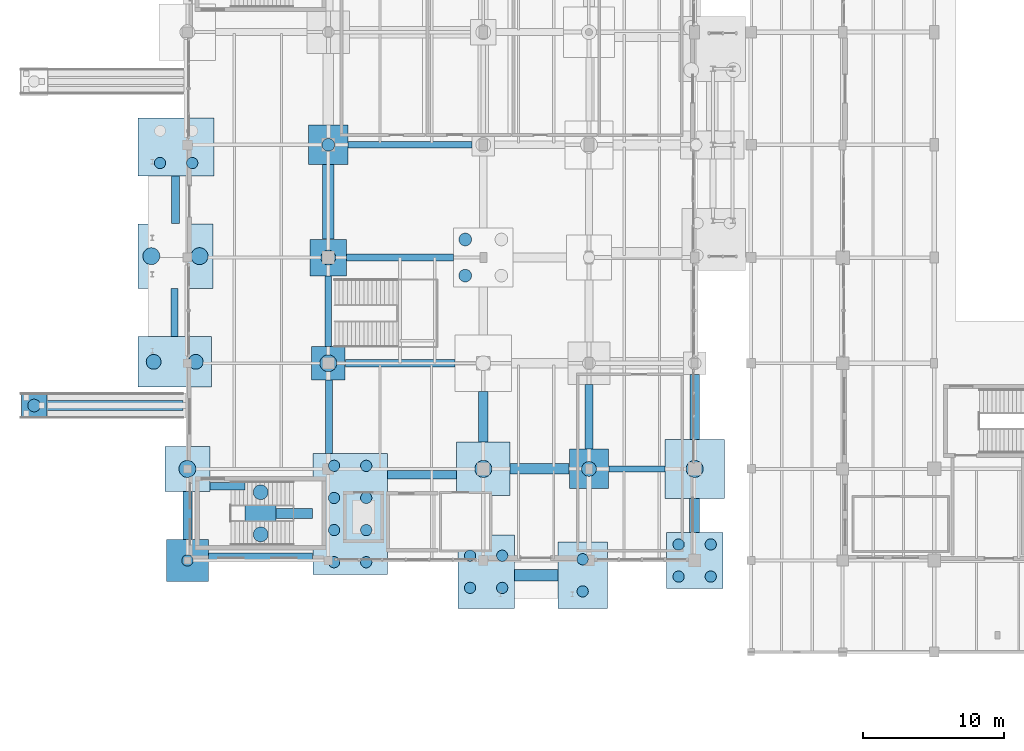
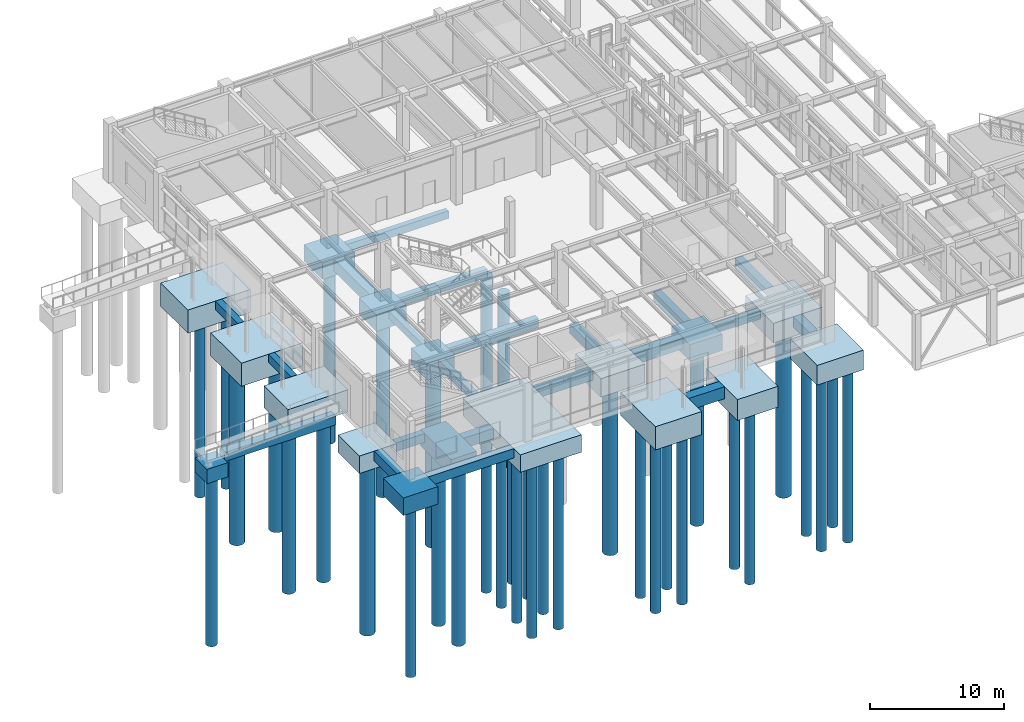
# One storey, part 1 of 203: 38 footings, 37 piles.
"""IFC4 building model written with IfcOpenShell, lengths in metres."""

from ifc_helpers import new_model, si_unit, direction, frame, origin, origin_2d, place, context, subcontext, project, spatial, polyline, circle, outline, extrude, material, material_profile, profile_set, type_object, element, save


model = new_model("IFC4")

# Units and contexts
model_context = context("Model", 3, precision=1e-05, world=origin(), true_north=direction((0.0, 1.0)))
body_context = subcontext(model_context, "Body", "Model", "MODEL_VIEW")
ifc_project = project(units=[si_unit("LENGTHUNIT", "METRE"), si_unit("AREAUNIT", "SQUARE_METRE"), si_unit("VOLUMEUNIT", "CUBIC_METRE"), si_unit("PLANEANGLEUNIT", "RADIAN"), si_unit("MASSUNIT", "GRAM", prefix="KILO"), si_unit("THERMODYNAMICTEMPERATUREUNIT", "KELVIN"), si_unit("POWERUNIT", "WATT")], contexts=[model_context])

# Site, building, storey
site_placement = place(None, origin())
site = spatial("IfcSite", under=ifc_project, at=site_placement, CompositionType="ELEMENT")
building_placement = place(site_placement, origin())
building = spatial("IfcBuilding", under=site, at=building_placement, Name="Tepalcoro Natatorium and Aquatics Centre", CompositionType="ELEMENT")
storey_placement = place(building_placement, origin())
storey = spatial("IfcBuildingStorey", under=building, at=storey_placement, Name="L00", CompositionType="ELEMENT", Elevation=0.0)

# Footings
ifc_material = material(Name="Concrete C40/50 (fc 40 MPa)", Category="concrete")
footing_type_1 = type_object("IfcFootingType", Name="FB_450x700", PredefinedType="FOOTING_BEAM", material=ifc_material)
footing_1_placement = place(storey_placement, frame((0.0, 0.0, -1.1201171875)))
element("IfcFooting", 1, at=footing_1_placement, inside=storey, type_object=footing_type_1, Name="V3 L00 Foundation Tie Beam X", PredefinedType="FOOTING_BEAM", context=body_context, shape_type="SweptSolid", body=[
    extrude(outline(polyline([(11.405029296875, 35.77490234375), (20.195068359375, 35.77490234375), (20.195068359375, 36.22509765625), (11.405029296875, 36.22509765625), (11.405029296875, 35.77490234375)])), origin(), (0.0, 0.0, 1.0), 0.7001953125),
])
footing_2_placement = place(storey_placement, frame((0.0, 0.0, -1.1201171875)))
element("IfcFooting", 2, at=footing_2_placement, inside=storey, type_object=footing_type_1, Name="V3 L00 Foundation Tie Beam X", PredefinedType="FOOTING_BEAM", context=body_context, shape_type="SweptSolid", body=[
    extrude(outline(polyline([(29.905029296875, 12.77490234375), (33.89501953125, 12.77490234375), (33.89501953125, 13.22509765625), (29.905029296875, 13.22509765625), (29.905029296875, 12.77490234375)])), origin(), (0.0, 0.0, 1.0), 0.7001953125),
])
footing_3_placement = place(storey_placement, frame((0.0, 0.0, -1.1201171875)))
element("IfcFooting", 3, at=footing_3_placement, inside=storey, type_object=footing_type_1, Name="V3 L00 Foundation Tie Beam Y", PredefinedType="FOOTING_BEAM", context=body_context, shape_type="SweptSolid", body=[
    extrude(outline(polyline([(10.22509765625, 21.705078125), (10.22509765625, 26.695068359375), (9.77490234375, 26.695068359375), (9.77490234375, 21.705078125), (10.22509765625, 21.705078125)])), origin(), (0.0, 0.0, 1.0), 0.7001953125),
])
footing_type_2 = type_object("IfcFootingType", Name="FB_500x750", PredefinedType="FOOTING_BEAM", material=ifc_material)
footing_4_placement = place(storey_placement, frame((0.0, 0.0, -1.169921875)))
element("IfcFooting", 4, at=footing_4_placement, inside=storey, type_object=footing_type_2, Name="V3 L00 Foundation Tie Beam X", PredefinedType="FOOTING_BEAM", context=body_context, shape_type="SweptSolid", body=[
    extrude(outline(polyline([(11.304931640625, 27.75), (18.89501953125, 27.75), (18.89501953125, 28.25), (11.304931640625, 28.25), (11.304931640625, 27.75)])), origin(), (0.0, 0.0, 1.0), 0.75),
])
footing_5_placement = place(storey_placement, frame((0.0, 0.0, -0.75)))
element("IfcFooting", 5, at=footing_5_placement, inside=storey, type_object=footing_type_2, Name="V3 L00 Foundation Tie Beam Y", PredefinedType="FOOTING_BEAM", context=body_context, shape_type="SweptSolid", body=[
    extrude(outline(polyline([(-0.64990234375, 22.405029296875), (-0.64990234375, 25.794921875), (-1.14990234375, 25.794921875), (-1.14990234375, 22.405029296875), (-0.64990234375, 22.405029296875)])), origin(), (0.0, 0.0, 1.0), 0.75),
])
footing_6_placement = place(storey_placement, frame((0.0, 0.0, -1.169921875)))
element("IfcFooting", 6, at=footing_6_placement, inside=storey, type_object=footing_type_2, Name="V3 L00 Foundation Tie Beam Y", PredefinedType="FOOTING_BEAM", context=body_context, shape_type="SweptSolid", body=[
    extrude(outline(polyline([(10.300048828125, 14.10498046875), (10.300048828125, 19.294921875), (9.800048828125, 19.294921875), (9.800048828125, 14.10498046875), (10.300048828125, 14.10498046875)])), origin(), (0.0, 0.0, 1.0), 0.75),
])
footing_type_3 = type_object("IfcFootingType", Name="FB_550x800", PredefinedType="FOOTING_BEAM", material=ifc_material)
footing_7_placement = place(storey_placement, frame((0.0, 0.0, -1.219970703125)))
element("IfcFooting", 7, at=footing_7_placement, inside=storey, type_object=footing_type_3, Name="V3 L00 Foundation Tie Beam X", PredefinedType="FOOTING_BEAM", context=body_context, shape_type="SweptSolid", body=[
    extrude(outline(polyline([(1.60498046875, 11.5), (4.094970703125, 11.5), (4.094970703125, 12.050048828125), (1.60498046875, 12.050048828125), (1.60498046875, 11.5)])), origin(), (0.0, 0.0, 1.0), 0.800048828125),
])
footing_8_placement = place(storey_placement, frame((0.0, 0.0, -1.219970703125)))
element("IfcFooting", 8, at=footing_8_placement, inside=storey, type_object=footing_type_3, Name="V3 L00 Foundation Tie Beam X", PredefinedType="FOOTING_BEAM", context=body_context, shape_type="SweptSolid", body=[
    extrude(outline(polyline([(11.205078125, 20.22509765625), (18.9951171875, 20.22509765625), (18.9951171875, 20.77490234375), (11.205078125, 20.77490234375), (11.205078125, 20.22509765625)])), origin(), (0.0, 0.0, 1.0), 0.800048828125),
])
footing_9_placement = place(storey_placement, frame((0.0, 0.0, -0.800048828125)))
element("IfcFooting", 9, at=footing_9_placement, inside=storey, type_object=footing_type_3, Name="V3 L00 Foundation Tie Beam Y", PredefinedType="FOOTING_BEAM", context=body_context, shape_type="SweptSolid", body=[
    extrude(outline(polyline([(-0.574951171875, 30.405029296875), (-0.574951171875, 33.794921875), (-1.125, 33.794921875), (-1.125, 30.405029296875), (-0.574951171875, 30.405029296875)])), origin(), (0.0, 0.0, 1.0), 0.800048828125),
])
footing_type_4 = type_object("IfcFootingType", Name="FB_600x850", PredefinedType="FOOTING_BEAM", material=ifc_material)
footing_10_placement = place(storey_placement, frame((0.0, 0.0, -1.27001953125)))
element("IfcFooting", 10, at=footing_10_placement, inside=storey, type_object=footing_type_4, Name="V3 L00 Foundation Tie Beam X", PredefinedType="FOOTING_BEAM", context=body_context, shape_type="SweptSolid", body=[
    extrude(outline(polyline([(1.5048828125, 6.449951171875), (8.89501953125, 6.449951171875), (8.89501953125, 7.050048828125), (1.5048828125, 7.050048828125), (1.5048828125, 6.449951171875)])), origin(), (0.0, 0.0, 1.0), 0.85009765625),
])
footing_11_placement = place(storey_placement, frame((0.0, 0.0, -1.27001953125)))
element("IfcFooting", 11, at=footing_11_placement, inside=storey, type_object=footing_type_4, Name="V3 L00 Foundation Tie Beam X", PredefinedType="FOOTING_BEAM", context=body_context, shape_type="SweptSolid", body=[
    extrude(outline(polyline([(14.205078125, 12.300048828125), (19.094970703125, 12.300048828125), (19.094970703125, 12.89990234375), (14.205078125, 12.89990234375), (14.205078125, 12.300048828125)])), origin(), (0.0, 0.0, 1.0), 0.85009765625),
])
footing_12_placement = place(storey_placement, frame((0.0, 0.0, -1.27001953125)))
element("IfcFooting", 12, at=footing_12_placement, inside=storey, type_object=footing_type_4, Name="V3 L00 Foundation Tie Beam Y", PredefinedType="FOOTING_BEAM", context=body_context, shape_type="SweptSolid", body=[
    extrude(outline(polyline([(28.800048828125, 14.405029296875), (28.800048828125, 18.9951171875), (28.199951171875, 18.9951171875), (28.199951171875, 14.405029296875), (28.800048828125, 14.405029296875)])), origin(), (0.0, 0.0, 1.0), 0.85009765625),
])
footing_type_5 = type_object("IfcFootingType", Name="FB_650x900", PredefinedType="FOOTING_BEAM", material=ifc_material)
footing_13_placement = place(storey_placement, frame((0.0, 0.0, -1.320068359375)))
element("IfcFooting", 13, at=footing_13_placement, inside=storey, type_object=footing_type_5, Name="V3 L00 Foundation Tie Beam Y", PredefinedType="FOOTING_BEAM", context=body_context, shape_type="SweptSolid", body=[
    extrude(outline(polyline([(0.324951171875, 8.0048828125), (0.324951171875, 11.39501953125), (-0.324951171875, 11.39501953125), (-0.324951171875, 8.0048828125), (0.324951171875, 8.0048828125)])), origin(), (0.0, 0.0, 1.0), 0.900146484375),
])
footing_14_placement = place(storey_placement, frame((0.0, 0.0, -1.320068359375)))
element("IfcFooting", 14, at=footing_14_placement, inside=storey, type_object=footing_type_5, Name="V3 L00 Foundation Tie Beam Y", PredefinedType="FOOTING_BEAM", context=body_context, shape_type="SweptSolid", body=[
    extrude(outline(polyline([(21.324951171875, 14.905029296875), (21.324951171875, 18.4951171875), (20.675048828125, 18.4951171875), (20.675048828125, 14.905029296875), (21.324951171875, 14.905029296875)])), origin(), (0.0, 0.0, 1.0), 0.900146484375),
])
footing_15_placement = place(storey_placement, frame((0.0, 0.0, -1.320068359375)))
element("IfcFooting", 15, at=footing_15_placement, inside=storey, type_object=footing_type_5, Name="V3 L00 Foundation Tie Beam Y", PredefinedType="FOOTING_BEAM", context=body_context, shape_type="SweptSolid", body=[
    extrude(outline(polyline([(36.324951171875, 15.10498046875), (36.324951171875, 19.695068359375), (35.675048828125, 19.695068359375), (35.675048828125, 15.10498046875), (36.324951171875, 15.10498046875)])), origin(), (0.0, 0.0, 1.0), 0.900146484375),
])
footing_type_6 = type_object("IfcFootingType", Name="FB_700x950", PredefinedType="FOOTING_BEAM", material=ifc_material)
footing_16_placement = place(storey_placement, frame((0.0, 0.0, -1.3701171875)))
element("IfcFooting", 16, at=footing_16_placement, inside=storey, type_object=footing_type_6, Name="V3 L00 Foundation Tie Beam X", PredefinedType="FOOTING_BEAM", context=body_context, shape_type="SweptSolid", body=[
    extrude(outline(polyline([(6.304931640625, 9.5), (8.89501953125, 9.5), (8.89501953125, 10.199951171875), (6.304931640625, 10.199951171875), (6.304931640625, 9.5)])), origin(), (0.0, 0.0, 1.0), 0.9501953125),
])
footing_17_placement = place(storey_placement, frame((0.0, 0.0, -1.3701171875)))
element("IfcFooting", 17, at=footing_17_placement, inside=storey, type_object=footing_type_6, Name="V3 L00 Foundation Tie Beam Y", PredefinedType="FOOTING_BEAM", context=body_context, shape_type="SweptSolid", body=[
    extrude(outline(polyline([(36.35009765625, 8.5048828125), (36.35009765625, 10.89501953125), (35.64990234375, 10.89501953125), (35.64990234375, 8.5048828125), (36.35009765625, 8.5048828125)])), origin(), (0.0, 0.0, 1.0), 0.9501953125),
])
footing_type_7 = type_object("IfcFootingType", Name="FB_750x1000", PredefinedType="FOOTING_BEAM", material=ifc_material)
footing_18_placement = place(storey_placement, frame((0.0, 0.0, -1.419921875)))
element("IfcFooting", 18, at=footing_18_placement, inside=storey, type_object=footing_type_7, Name="V3 L00 Foundation Tie Beam X", PredefinedType="FOOTING_BEAM", context=body_context, shape_type="SweptSolid", body=[
    extrude(outline(polyline([(22.905029296875, 12.625), (27.094970703125, 12.625), (27.094970703125, 13.375), (22.905029296875, 13.375), (22.905029296875, 12.625)])), origin(), (0.0, 0.0, 1.0), 1.0),
])
footing_type_8 = type_object("IfcFootingType", Name="FB_800x1100", PredefinedType="FOOTING_BEAM", material=ifc_material)
footing_19_placement = place(storey_placement, frame((0.0, 0.0, -1.10009765625)))
element("IfcFooting", 19, at=footing_19_placement, inside=storey, type_object=footing_type_8, Name="V3 L00 Foundation Tie Beam X", PredefinedType="FOOTING_BEAM", context=body_context, shape_type="SweptSolid", body=[
    extrude(outline(polyline([(23.205078125, 5.050048828125), (26.294921875, 5.050048828125), (26.294921875, 5.85009765625), (23.205078125, 5.85009765625), (23.205078125, 5.050048828125)])), origin(), (0.0, 0.0, 1.0), 1.10009765625),
])
footing_20_placement = place(storey_placement, frame((0.0, 0.0, -1.52001953125)))
element("IfcFooting", 20, at=footing_20_placement, inside=storey, type_object=footing_type_8, Name="V3 L00 Foundation Tie Beam Y", PredefinedType="FOOTING_BEAM", context=body_context, shape_type="SweptSolid", body=[
    extrude(outline(polyline([(10.39990234375, 29.304931640625), (10.39990234375, 34.594970703125), (9.60009765625, 34.594970703125), (9.60009765625, 29.304931640625), (10.39990234375, 29.304931640625)])), origin(), (0.0, 0.0, 1.0), 1.10009765625),
])
footing_type_9 = type_object("IfcFootingType", Name="PC_1800x1800x1300", PredefinedType="PILE_CAP", material=ifc_material)
footing_21_placement = place(storey_placement, frame((0.0, 0.0, -2.550048828125)))
element("IfcFooting", 21, at=footing_21_placement, inside=storey, type_object=footing_type_9, Name="V3 Reinforced Concrete Pile Cap 230", PredefinedType="PILE_CAP", context=body_context, shape_type="SweptSolid", body=[
    extrude(outline(polyline([(-11.780029296875, 16.60009765625), (-9.97998046875, 16.60009765625), (-9.97998046875, 18.39990234375), (-11.780029296875, 18.39990234375), (-11.780029296875, 16.60009765625)])), origin(), (0.0, 0.0, 1.0), 1.300048828125),
])
footing_type_10 = type_object("IfcFootingType", Name="PC_2200x4600x1500", PredefinedType="PILE_CAP", material=ifc_material)
footing_22_placement = place(storey_placement, frame((0.0, 0.0, -1.919921875)))
element("IfcFooting", 22, at=footing_22_placement, inside=storey, type_object=footing_type_10, Name="V3 Reinforced Concrete Pile Cap 239", PredefinedType="PILE_CAP", context=body_context, shape_type="SweptSolid", body=[
    extrude(outline(polyline([(4.10009765625, 7.550048828125), (6.300048828125, 7.550048828125), (6.300048828125, 12.14990234375), (4.10009765625, 12.14990234375), (4.10009765625, 7.550048828125)])), origin(), (0.0, 0.0, 1.0), 1.5),
])
footing_type_11 = type_object("IfcFootingType", Name="PC_2400x2400x1500", PredefinedType="PILE_CAP", material=ifc_material)
footing_23_placement = place(storey_placement, frame((0.0, 0.0, -1.919921875)))
element("IfcFooting", 23, at=footing_23_placement, inside=storey, type_object=footing_type_11, Name="V3 Reinforced Concrete Pile Cap 244", PredefinedType="PILE_CAP", context=body_context, shape_type="SweptSolid", body=[
    extrude(outline(polyline([(8.800048828125, 19.300048828125), (11.199951171875, 19.300048828125), (11.199951171875, 21.699951171875), (8.800048828125, 21.699951171875), (8.800048828125, 19.300048828125)])), origin(), (0.0, 0.0, 1.0), 1.5),
])
footing_type_12 = type_object("IfcFootingType", Name="PC_2600x2600x1500", PredefinedType="PILE_CAP", material=ifc_material)
footing_24_placement = place(storey_placement, frame((0.0, 0.0, -1.919921875)))
element("IfcFooting", 24, at=footing_24_placement, inside=storey, type_object=footing_type_12, Name="V3 Reinforced Concrete Pile Cap 243", PredefinedType="PILE_CAP", context=body_context, shape_type="SweptSolid", body=[
    extrude(outline(polyline([(8.699951171875, 26.699951171875), (11.300048828125, 26.699951171875), (11.300048828125, 29.300048828125), (8.699951171875, 29.300048828125), (8.699951171875, 26.699951171875)])), origin(), (0.0, 0.0, 1.0), 1.5),
])
footing_25_placement = place(storey_placement, frame((0.0, 0.0, -1.919921875)))
element("IfcFooting", 25, at=footing_25_placement, inside=storey, type_object=footing_type_12, Name="V3 Reinforced Concrete Pile Cap 253", PredefinedType="PILE_CAP", context=body_context, shape_type="SweptSolid", body=[
    extrude(outline(polyline([(26.300048828125, 3.10009765625), (29.800048828125, 3.10009765625), (29.800048828125, 7.800048828125), (26.300048828125, 7.800048828125), (26.300048828125, 3.10009765625)])), origin(), (0.0, 0.0, 1.0), 1.919921875),
])
footing_type_13 = type_object("IfcFootingType", Name="PC_2800x2800x1500", PredefinedType="PILE_CAP", material=ifc_material)
footing_26_placement = place(storey_placement, frame((0.0, 0.0, -1.919921875)))
element("IfcFooting", 26, at=footing_26_placement, inside=storey, type_object=footing_type_13, Name="V3 Reinforced Concrete Pile Cap 242", PredefinedType="PILE_CAP", context=body_context, shape_type="SweptSolid", body=[
    extrude(outline(polyline([(8.60009765625, 34.60009765625), (11.39990234375, 34.60009765625), (11.39990234375, 37.39990234375), (8.60009765625, 37.39990234375), (8.60009765625, 34.60009765625)])), origin(), (0.0, 0.0, 1.0), 1.5),
])
footing_27_placement = place(storey_placement, frame((0.0, 0.0, -1.919921875)))
element("IfcFooting", 27, at=footing_27_placement, inside=storey, type_object=footing_type_13, Name="V3 Reinforced Concrete Pile Cap 259", PredefinedType="PILE_CAP", context=body_context, shape_type="SweptSolid", body=[
    extrude(outline(polyline([(27.10009765625, 11.60009765625), (29.89990234375, 11.60009765625), (29.89990234375, 14.39990234375), (27.10009765625, 14.39990234375), (27.10009765625, 11.60009765625)])), origin(), (0.0, 0.0, 1.0), 1.5),
])
footing_type_14 = type_object("IfcFootingType", Name="PC_3000x3000x1600", PredefinedType="PILE_CAP", material=ifc_material)
footing_28_placement = place(storey_placement, frame((0.0, 0.0, -2.02001953125)))
element("IfcFooting", 28, at=footing_28_placement, inside=storey, type_object=footing_type_14, Name="V3 Reinforced Concrete Pile Cap 237", PredefinedType="PILE_CAP", context=body_context, shape_type="SweptSolid", body=[
    extrude(outline(polyline([(-1.5, 5.0), (1.5, 5.0), (1.5, 8.0), (-1.5, 8.0), (-1.5, 5.0)])), origin(), (0.0, 0.0, 1.0), 1.60009765625),
])
footing_type_15 = type_object("IfcFootingType", Name="PC_3200x3200x1600", PredefinedType="PILE_CAP", material=ifc_material)
footing_29_placement = place(storey_placement, frame((0.0, 0.0, -2.02001953125)))
element("IfcFooting", 29, at=footing_29_placement, inside=storey, type_object=footing_type_15, Name="V3 Reinforced Concrete Pile Cap 236", PredefinedType="PILE_CAP", context=body_context, shape_type="SweptSolid", body=[
    extrude(outline(polyline([(-1.60009765625, 11.39990234375), (1.60009765625, 11.39990234375), (1.60009765625, 14.60009765625), (-1.60009765625, 14.60009765625), (-1.60009765625, 11.39990234375)])), origin(), (0.0, 0.0, 1.0), 1.60009765625),
])
footing_type_16 = type_object("IfcFootingType", Name="PC_3400x3400x1600", PredefinedType="PILE_CAP", material=ifc_material)
footing_30_placement = place(storey_placement, frame((0.0, 0.0, -2.02001953125)))
element("IfcFooting", 30, at=footing_30_placement, inside=storey, type_object=footing_type_16, Name="V3 Reinforced Concrete Pile Cap 231", PredefinedType="PILE_CAP", context=body_context, shape_type="SweptSolid", body=[
    extrude(outline(polyline([(-3.5, 18.800048828125), (1.699951171875, 18.800048828125), (1.699951171875, 22.39990234375), (-3.5, 22.39990234375), (-3.5, 18.800048828125)])), origin(), (0.0, 0.0, 1.0), 2.02001953125),
])
footing_31_placement = place(storey_placement, frame((0.0, 0.0, -2.02001953125)))
element("IfcFooting", 31, at=footing_31_placement, inside=storey, type_object=footing_type_16, Name="V3 Reinforced Concrete Pile Cap 245", PredefinedType="PILE_CAP", context=body_context, shape_type="SweptSolid", body=[
    extrude(outline(polyline([(8.89990234375, 5.5), (14.199951171875, 5.5), (14.199951171875, 14.10009765625), (8.89990234375, 14.10009765625), (8.89990234375, 5.5)])), origin(), (0.0, 0.0, 1.0), 1.60009765625),
])
footing_type_17 = type_object("IfcFootingType", Name="PC_3600x3600x1700", PredefinedType="PILE_CAP", material=ifc_material)
footing_32_placement = place(storey_placement, frame((0.0, 0.0, -2.1201171875)))
element("IfcFooting", 32, at=footing_32_placement, inside=storey, type_object=footing_type_17, Name="V3 Reinforced Concrete Pile Cap 232", PredefinedType="PILE_CAP", context=body_context, shape_type="SweptSolid", body=[
    extrude(outline(polyline([(-3.5, 25.800048828125), (1.800048828125, 25.800048828125), (1.800048828125, 30.39990234375), (-3.5, 30.39990234375), (-3.5, 25.800048828125)])), origin(), (0.0, 0.0, 1.0), 2.1201171875),
])
footing_33_placement = place(storey_placement, frame((0.0, 0.0, -2.1201171875)))
element("IfcFooting", 33, at=footing_33_placement, inside=storey, type_object=footing_type_17, Name="V3 Reinforced Concrete Pile Cap 249", PredefinedType="PILE_CAP", context=body_context, shape_type="SweptSolid", body=[
    extrude(outline(polyline([(19.199951171875, 3.10009765625), (23.199951171875, 3.10009765625), (23.199951171875, 8.300048828125), (19.199951171875, 8.300048828125), (19.199951171875, 3.10009765625)])), origin(), (0.0, 0.0, 1.0), 2.1201171875),
])
footing_type_18 = type_object("IfcFootingType", Name="PC_3800x3800x1700", PredefinedType="PILE_CAP", material=ifc_material)
footing_34_placement = place(storey_placement, frame((0.0, 0.0, -2.1201171875)))
element("IfcFooting", 34, at=footing_34_placement, inside=storey, type_object=footing_type_18, Name="V3 Reinforced Concrete Pile Cap 233", PredefinedType="PILE_CAP", context=body_context, shape_type="SweptSolid", body=[
    extrude(outline(polyline([(-3.5, 33.800048828125), (1.89990234375, 33.800048828125), (1.89990234375, 37.89990234375), (-3.5, 37.89990234375), (-3.5, 33.800048828125)])), origin(), (0.0, 0.0, 1.0), 2.1201171875),
])
footing_35_placement = place(storey_placement, frame((0.0, 0.0, -2.1201171875)))
element("IfcFooting", 35, at=footing_35_placement, inside=storey, type_object=footing_type_18, Name="V3 Reinforced Concrete Pile Cap 248", PredefinedType="PILE_CAP", context=body_context, shape_type="SweptSolid", body=[
    extrude(outline(polyline([(19.10009765625, 11.10009765625), (22.89990234375, 11.10009765625), (22.89990234375, 14.89990234375), (19.10009765625, 14.89990234375), (19.10009765625, 11.10009765625)])), origin(), (0.0, 0.0, 1.0), 1.7001953125),
])
footing_type_19 = type_object("IfcFootingType", Name="PC_4000x4000x1800", PredefinedType="PILE_CAP", material=ifc_material)
footing_36_placement = place(storey_placement, frame((0.0, 0.0, -2.219970703125)))
element("IfcFooting", 36, at=footing_36_placement, inside=storey, type_object=footing_type_19, Name="V3 Reinforced Concrete Pile Cap 261", PredefinedType="PILE_CAP", context=body_context, shape_type="SweptSolid", body=[
    extrude(outline(polyline([(34.0, 4.5), (38.0, 4.5), (38.0, 8.5), (34.0, 8.5), (34.0, 4.5)])), origin(), (0.0, 0.0, 1.0), 1.800048828125),
])
footing_type_20 = type_object("IfcFootingType", Name="PC_4200x4200x1800", PredefinedType="PILE_CAP", material=ifc_material)
footing_37_placement = place(storey_placement, frame((0.0, 0.0, -2.219970703125)))
element("IfcFooting", 37, at=footing_37_placement, inside=storey, type_object=footing_type_20, Name="V3 Reinforced Concrete Pile Cap 260", PredefinedType="PILE_CAP", context=body_context, shape_type="SweptSolid", body=[
    extrude(outline(polyline([(33.89990234375, 10.89990234375), (38.10009765625, 10.89990234375), (38.10009765625, 15.10009765625), (33.89990234375, 15.10009765625), (33.89990234375, 10.89990234375)])), origin(), (0.0, 0.0, 1.0), 1.800048828125),
])

# Piles
ifc_material_profile_1 = material_profile(ifc_material, circle(Radius=0.52490234375, at=origin_2d()), Name="PILE_D1050")
ifc_profile_set_1 = profile_set([ifc_material_profile_1], Name="Concrete C40/50 (fc 40 MPa)")
pile_type_1 = type_object("IfcPileType", Name="PILE_D1050", PredefinedType="BORED", material=ifc_profile_set_1)
for number, where, z_axis, x_axis, name in (
    (38, (-2.396240234375, 20.60009765625, -1.919921875), (0.0, 0.0, -1.0), (1.0, 0.0, 0.0), "Bored Pile PILE_D1050 under PC_V3_0230"),
    (39, (0.59619140625, 20.60009765625, -1.919921875), (0.0, 0.0, -1.0), (1.0, 0.0, 0.0), "Bored Pile PILE_D1050 under PC_V3_0230"),
):
    element("IfcPile", number, at=place(storey_placement, frame(where, z_axis=z_axis, x_axis=x_axis)), inside=storey, type_object=pile_type_1, Name=name, PredefinedType="BORED", context=body_context, shape_type="SweptSolid", body=[
        extrude(circle(Radius=0.52490234375, at=origin_2d()), origin(), (0.0, 0.0, 1.0), 16.080078125),
    ])
for number, where, z_axis, x_axis, name in (
    (40, (5.199951171875, 8.353759765625, -1.820068359375), (0.0, 0.0, -1.0), (1.0, 0.0, 0.0), "Bored Pile PILE_D1050 under PC_V3_0238"),
    (41, (5.199951171875, 11.34619140625, -1.820068359375), (0.0, 0.0, -1.0), (1.0, 0.0, 0.0), "Bored Pile PILE_D1050 under PC_V3_0238"),
    (42, (10.0, 28.0, -1.820068359375), (0.0, 0.0, -1.0), (1.0, 0.0, 0.0), "Bored Pile PILE_D1050 under PC_V3_0242"),
    (43, (28.5, 13.0, -1.820068359375), (0.0, 0.0, -1.0), (1.0, 0.0, 0.0), "Bored Pile PILE_D1050 under PC_V3_0258"),
):
    element("IfcPile", number, at=place(storey_placement, frame(where, z_axis=z_axis, x_axis=x_axis)), inside=storey, type_object=pile_type_1, Name=name, PredefinedType="BORED", context=body_context, shape_type="SweptSolid", body=[
        extrude(circle(Radius=0.52490234375, at=origin_2d()), origin(), (0.0, 0.0, 1.0), 16.179931640625),
    ])
ifc_material_profile_2 = material_profile(ifc_material, circle(Radius=0.60009765625, at=origin_2d()), Name="PILE_D1200")
ifc_profile_set_2 = profile_set([ifc_material_profile_2], Name="Concrete C40/50 (fc 40 MPa)")
pile_type_2 = type_object("IfcPileType", Name="PILE_D1200", PredefinedType="BORED", material=ifc_profile_set_2)
for number, where, z_axis, x_axis, name in (
    (44, (-2.56005859375, 28.10009765625, -2.02001953125), (0.0, 0.0, -1.0), (1.0, 0.0, 0.0), "Bored Pile PILE_D1200 under PC_V3_0231"),
    (45, (0.860107421875, 28.10009765625, -2.02001953125), (0.0, 0.0, -1.0), (1.0, 0.0, 0.0), "Bored Pile PILE_D1200 under PC_V3_0231"),
):
    element("IfcPile", number, at=place(storey_placement, frame(where, z_axis=z_axis, x_axis=x_axis)), inside=storey, type_object=pile_type_2, Name=name, PredefinedType="BORED", context=body_context, shape_type="SweptSolid", body=[
        extrude(circle(Radius=0.60009765625, at=origin_2d()), origin(), (0.0, 0.0, 1.0), 15.97998046875),
    ])
pile_1_placement = place(storey_placement, frame((0.0, 13.0, -1.919921875), z_axis=(0.0, 0.0, -1.0), x_axis=(1.0, 0.0, 0.0)))
element("IfcPile", 46, at=pile_1_placement, inside=storey, type_object=pile_type_2, Name="Bored Pile PILE_D1200 under PC_V3_0235", PredefinedType="BORED", context=body_context, shape_type="SweptSolid", body=[
    extrude(circle(Radius=0.60009765625, at=origin_2d()), origin(), (0.0, 0.0, 1.0), 16.080078125),
])
pile_2_placement = place(storey_placement, frame((10.0, 20.5, -1.820068359375), z_axis=(0.0, 0.0, -1.0), x_axis=(1.0, 0.0, 0.0)))
element("IfcPile", 47, at=pile_2_placement, inside=storey, type_object=pile_type_2, Name="Bored Pile PILE_D1200 under PC_V3_0243", PredefinedType="BORED", context=body_context, shape_type="SweptSolid", body=[
    extrude(circle(Radius=0.60009765625, at=origin_2d()), origin(), (0.0, 0.0, 1.0), 16.179931640625),
])
pile_3_placement = place(storey_placement, frame((21.0, 13.0, -2.02001953125), z_axis=(0.0, 0.0, -1.0), x_axis=(1.0, 0.0, 0.0)))
element("IfcPile", 48, at=pile_3_placement, inside=storey, type_object=pile_type_2, Name="Bored Pile PILE_D1200 under PC_V3_0247", PredefinedType="BORED", context=body_context, shape_type="SweptSolid", body=[
    extrude(circle(Radius=0.60009765625, at=origin_2d()), origin(), (0.0, 0.0, 1.0), 15.97998046875),
])
pile_4_placement = place(storey_placement, frame((36.0, 13.0, -2.1201171875), z_axis=(0.0, 0.0, -1.0), x_axis=(1.0, 0.0, 0.0)))
element("IfcPile", 49, at=pile_4_placement, inside=storey, type_object=pile_type_2, Name="Bored Pile PILE_D1200 under PC_V3_0259", PredefinedType="BORED", context=body_context, shape_type="SweptSolid", body=[
    extrude(circle(Radius=0.60009765625, at=origin_2d()), origin(), (0.0, 0.0, 1.0), 15.8798828125),
])
ifc_material_profile_3 = material_profile(ifc_material, circle(Radius=0.39990234375, at=origin_2d()), Name="PILE_D800")
ifc_profile_set_3 = profile_set([ifc_material_profile_3], Name="Concrete C40/50 (fc 40 MPa)")
pile_type_3 = type_object("IfcPileType", Name="PILE_D800", PredefinedType="BORED", material=ifc_profile_set_3)
for number, where, z_axis, x_axis, name in (
    (50, (-1.93994140625, 34.7099609375, -2.02001953125), (0.0, 0.0, -1.0), (1.0, 0.0, 0.0), "Bored Pile PILE_D800 under PC_V3_0232"),
    (51, (0.340087890625, 34.7099609375, -2.02001953125), (0.0, 0.0, -1.0), (1.0, 0.0, 0.0), "Bored Pile PILE_D800 under PC_V3_0232"),
):
    element("IfcPile", number, at=place(storey_placement, frame(where, z_axis=z_axis, x_axis=x_axis)), inside=storey, type_object=pile_type_3, Name=name, PredefinedType="BORED", context=body_context, shape_type="SweptSolid", body=[
        extrude(circle(Radius=0.39990234375, at=origin_2d()), origin(), (0.0, 0.0, 1.0), 15.97998046875),
    ])
for number, where, z_axis, x_axis, name in (
    (52, (0.0, 6.5, -1.919921875), (0.0, 0.0, -1.0), (1.0, 0.0, 0.0), "Bored Pile PILE_D800 under PC_V3_0236"),
    (53, (10.409912109375, 6.3798828125, -1.919921875), (0.0, 0.0, -1.0), (1.0, 0.0, 0.0), "Bored Pile PILE_D800 under PC_V3_0244"),
    (54, (10.409912109375, 8.659912109375, -1.919921875), (0.0, 0.0, -1.0), (1.0, 0.0, 0.0), "Bored Pile PILE_D800 under PC_V3_0244"),
    (55, (10.409912109375, 10.93994140625, -1.919921875), (0.0, 0.0, -1.0), (1.0, 0.0, 0.0), "Bored Pile PILE_D800 under PC_V3_0244"),
    (56, (10.409912109375, 13.219970703125, -1.919921875), (0.0, 0.0, -1.0), (1.0, 0.0, 0.0), "Bored Pile PILE_D800 under PC_V3_0244"),
    (57, (12.68994140625, 6.3798828125, -1.919921875), (0.0, 0.0, -1.0), (1.0, 0.0, 0.0), "Bored Pile PILE_D800 under PC_V3_0244"),
    (58, (12.68994140625, 8.659912109375, -1.919921875), (0.0, 0.0, -1.0), (1.0, 0.0, 0.0), "Bored Pile PILE_D800 under PC_V3_0244"),
    (59, (12.68994140625, 10.93994140625, -1.919921875), (0.0, 0.0, -1.0), (1.0, 0.0, 0.0), "Bored Pile PILE_D800 under PC_V3_0244"),
    (60, (12.68994140625, 13.219970703125, -1.919921875), (0.0, 0.0, -1.0), (1.0, 0.0, 0.0), "Bored Pile PILE_D800 under PC_V3_0244"),
):
    element("IfcPile", number, at=place(storey_placement, frame(where, z_axis=z_axis, x_axis=x_axis)), inside=storey, type_object=pile_type_3, Name=name, PredefinedType="BORED", context=body_context, shape_type="SweptSolid", body=[
        extrude(circle(Radius=0.39990234375, at=origin_2d()), origin(), (0.0, 0.0, 1.0), 16.080078125),
    ])
for number, where, z_axis, x_axis, name in (
    (61, (20.06005859375, 4.56005859375, -2.02001953125), (0.0, 0.0, -1.0), (1.0, 0.0, 0.0), "Bored Pile PILE_D800 under PC_V3_0248"),
    (62, (20.06005859375, 6.840087890625, -2.02001953125), (0.0, 0.0, -1.0), (1.0, 0.0, 0.0), "Bored Pile PILE_D800 under PC_V3_0248"),
    (63, (22.340087890625, 4.56005859375, -2.02001953125), (0.0, 0.0, -1.0), (1.0, 0.0, 0.0), "Bored Pile PILE_D800 under PC_V3_0248"),
    (64, (22.340087890625, 6.840087890625, -2.02001953125), (0.0, 0.0, -1.0), (1.0, 0.0, 0.0), "Bored Pile PILE_D800 under PC_V3_0248"),
):
    element("IfcPile", number, at=place(storey_placement, frame(where, z_axis=z_axis, x_axis=x_axis)), inside=storey, type_object=pile_type_3, Name=name, PredefinedType="BORED", context=body_context, shape_type="SweptSolid", body=[
        extrude(circle(Radius=0.39990234375, at=origin_2d()), origin(), (0.0, 0.0, 1.0), 15.97998046875),
    ])
for number, where, z_axis, x_axis, name in (
    (65, (28.050048828125, 4.31005859375, -1.820068359375), (0.0, 0.0, -1.0), (1.0, 0.0, 0.0), "Bored Pile PILE_D800 under PC_V3_0252"),
    (66, (28.050048828125, 6.590087890625, -1.820068359375), (0.0, 0.0, -1.0), (1.0, 0.0, 0.0), "Bored Pile PILE_D800 under PC_V3_0252"),
):
    element("IfcPile", number, at=place(storey_placement, frame(where, z_axis=z_axis, x_axis=x_axis)), inside=storey, type_object=pile_type_3, Name=name, PredefinedType="BORED", context=body_context, shape_type="SweptSolid", body=[
        extrude(circle(Radius=0.39990234375, at=origin_2d()), origin(), (0.0, 0.0, 1.0), 16.179931640625),
    ])
for number, where, z_axis, x_axis, name in (
    (67, (34.860107421875, 5.360107421875, -2.1201171875), (0.0, 0.0, -1.0), (1.0, 0.0, 0.0), "Bored Pile PILE_D800 under PC_V3_0260"),
    (68, (34.860107421875, 7.639892578125, -2.1201171875), (0.0, 0.0, -1.0), (1.0, 0.0, 0.0), "Bored Pile PILE_D800 under PC_V3_0260"),
    (69, (37.139892578125, 5.360107421875, -2.1201171875), (0.0, 0.0, -1.0), (1.0, 0.0, 0.0), "Bored Pile PILE_D800 under PC_V3_0260"),
    (70, (37.139892578125, 7.639892578125, -2.1201171875), (0.0, 0.0, -1.0), (1.0, 0.0, 0.0), "Bored Pile PILE_D800 under PC_V3_0260"),
):
    element("IfcPile", number, at=place(storey_placement, frame(where, z_axis=z_axis, x_axis=x_axis)), inside=storey, type_object=pile_type_3, Name=name, PredefinedType="BORED", context=body_context, shape_type="SweptSolid", body=[
        extrude(circle(Radius=0.39990234375, at=origin_2d()), origin(), (0.0, 0.0, 1.0), 15.8798828125),
    ])
ifc_material_profile_4 = material_profile(ifc_material, circle(Radius=0.449951171875, at=origin_2d()), Name="PILE_D900")
ifc_profile_set_4 = profile_set([ifc_material_profile_4], Name="Concrete C40/50 (fc 40 MPa)")
pile_type_4 = type_object("IfcPileType", Name="PILE_D900", PredefinedType="BORED", material=ifc_profile_set_4)
pile_5_placement = place(storey_placement, frame((-10.8798828125, 17.5, -2.449951171875), z_axis=(0.0, 0.0, -1.0), x_axis=(1.0, 0.0, 0.0)))
element("IfcPile", 71, at=pile_5_placement, inside=storey, type_object=pile_type_4, Name="Bored Pile PILE_D900 under PC_V3_0229", PredefinedType="BORED", context=body_context, shape_type="SweptSolid", body=[
    extrude(circle(Radius=0.449951171875, at=origin_2d()), origin(), (0.0, 0.0, 1.0), 15.550048828125),
])
pile_6_placement = place(storey_placement, frame((10.0, 36.0, -1.820068359375), z_axis=(0.0, 0.0, -1.0), x_axis=(1.0, 0.0, 0.0)))
element("IfcPile", 72, at=pile_6_placement, inside=storey, type_object=pile_type_4, Name="Bored Pile PILE_D900 under PC_V3_0241", PredefinedType="BORED", context=body_context, shape_type="SweptSolid", body=[
    extrude(circle(Radius=0.449951171875, at=origin_2d()), origin(), (0.0, 0.0, 1.0), 16.179931640625),
])
for number, where, z_axis, x_axis, name in (
    (73, (19.717529296875, 26.717529296875, -2.1201171875), (0.0, 0.0, -1.0), (1.0, 0.0, 0.0), "Bored Pile PILE_D900 under PC_V3_0245"),
    (74, (19.717529296875, 29.282470703125, -2.1201171875), (0.0, 0.0, -1.0), (1.0, 0.0, 0.0), "Bored Pile PILE_D900 under PC_V3_0245"),
):
    element("IfcPile", number, at=place(storey_placement, frame(where, z_axis=z_axis, x_axis=x_axis)), inside=storey, type_object=pile_type_4, Name=name, PredefinedType="BORED", context=body_context, shape_type="SweptSolid", body=[
        extrude(circle(Radius=0.449951171875, at=origin_2d()), origin(), (0.0, 0.0, 1.0), 15.8798828125),
    ])

# Footing
footing_type_21 = type_object("IfcFootingType", Name="SF_700x800", PredefinedType="STRIP_FOOTING", material=ifc_material)
footing_38_placement = place(storey_placement, frame((0.0, 0.0, -1.5)))
element("IfcFooting", 75, at=footing_38_placement, inside=storey, type_object=footing_type_21, Name="RMP01 Ramp Foundation Strip Footing", PredefinedType="STRIP_FOOTING", context=body_context, shape_type="SweptSolid", body=[
    extrude(outline(polyline([(-0.31005859375, 17.85009765625), (-0.31005859375, 17.14990234375), (-9.965087890625, 17.14990234375), (-9.965087890625, 17.85009765625), (-0.31005859375, 17.85009765625)])), origin(), (0.0, 0.0, 1.0), 0.800048828125),
])

save(model, "model.ifc")
